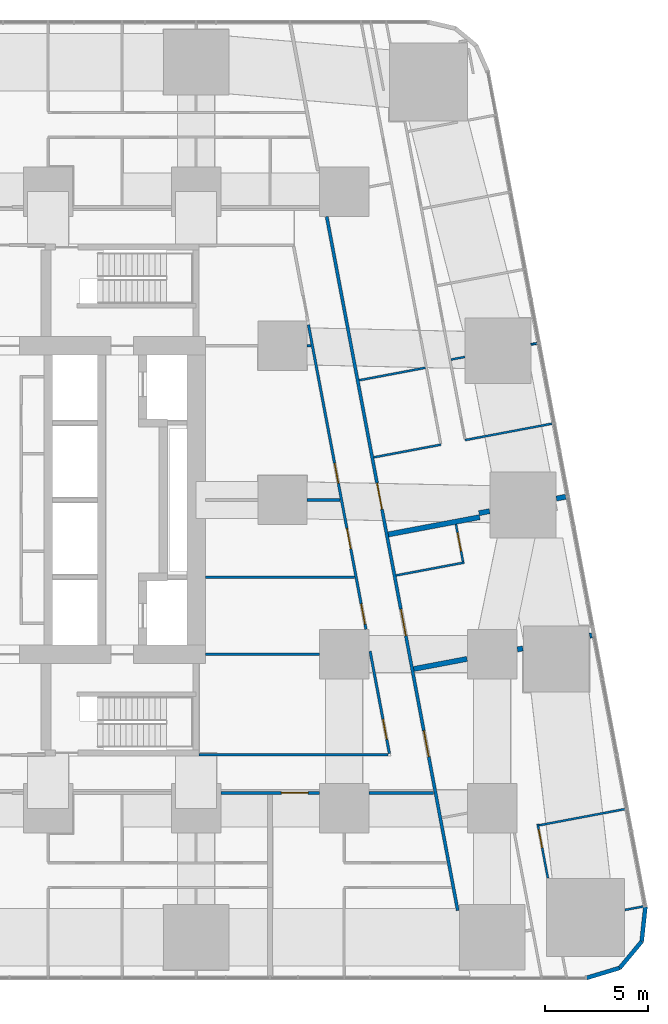
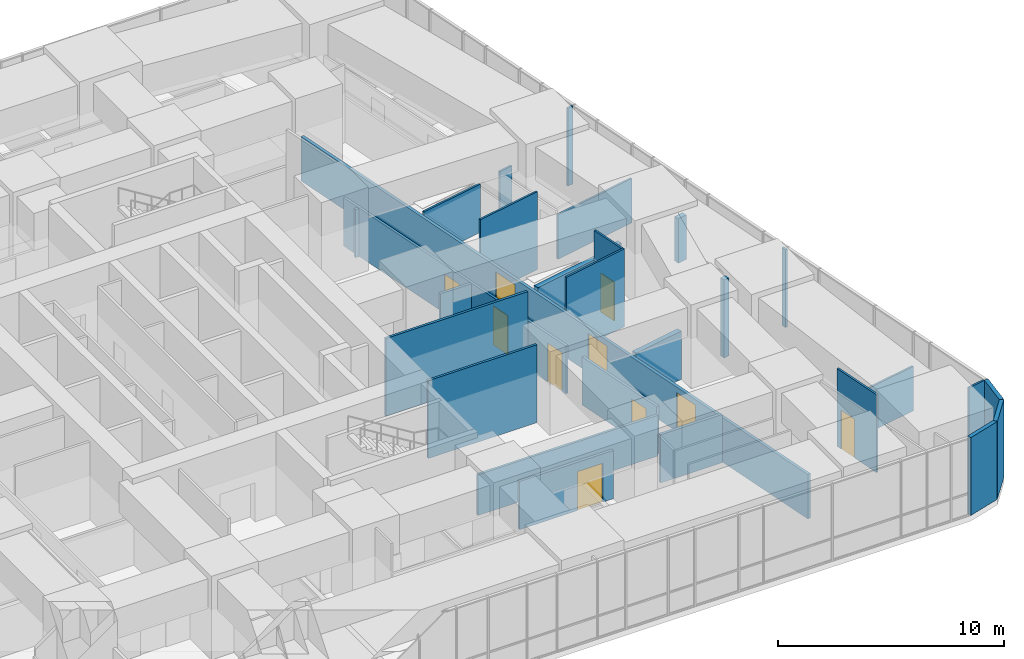
# One storey, part 17 of 23: 29 walls, 10 doors, 10 openings.
"""IFC4 building model written with IfcOpenShell, lengths in metres."""

from ifc_helpers import new_model, si_unit, direction, frame, frame_2d, origin, place, context, subcontext, project, spatial, rectangle, extrude, material, layer, layer_set, type_object, element, fill, save


model = new_model("IFC4")

# Units and contexts
model_context = context("Model", 3, precision=1e-05, world=origin(), true_north=direction((0.0, 1.0)))
body_context = subcontext(model_context, "Body", "Model", "MODEL_VIEW")
ifc_project = project(units=[si_unit("LENGTHUNIT", "METRE"), si_unit("AREAUNIT", "SQUARE_METRE"), si_unit("VOLUMEUNIT", "CUBIC_METRE"), si_unit("PLANEANGLEUNIT", "RADIAN"), si_unit("MASSUNIT", "GRAM", prefix="KILO")], contexts=[model_context])

# Site, building, storey
site_placement = place(None, origin())
site = spatial("IfcSite", under=ifc_project, at=site_placement, CompositionType="ELEMENT")
building_placement = place(site_placement, origin())
building = spatial("IfcBuilding", under=site, at=building_placement, Name="Sheger Commons Tower", CompositionType="ELEMENT")
storey_placement = place(building_placement, frame((0.0, 0.0, 5.60009765625)))
storey = spatial("IfcBuildingStorey", under=building, at=storey_placement, Name="L01", CompositionType="ELEMENT", Elevation=5.60009765625)

# Wall
ifc_material_1 = material(Name="Hollow concrete block masonry, skimmed both sides", Category="masonry")
ifc_layer_1 = layer(ifc_material_1, 0.14990234375)
ifc_layer_set_1 = layer_set([ifc_layer_1], Name="CORRIDOR WALL 150")
wall_type_1 = type_object("IfcWallType", Name="CORRIDOR WALL 150", PredefinedType="SOLIDWALL", material=ifc_layer_set_1)
wall_1_placement = place(storey_placement, frame((40.35498046875, 8.25, 0.0), z_axis=(0.0, 0.0, 1.0), x_axis=(-1.0, 0.0, 0.0)))
element("IfcWall", 1, at=wall_1_placement, inside=storey, type_object=wall_type_1, Name="Corridor wall L01", PredefinedType="SOLIDWALL", context=body_context, shape_type="SweptSolid", body=[
    extrude(rectangle(XDim=3.154052734375, YDim=0.14990234375, at=frame_2d((1.5771484375, 0.0))), origin(), (0.0, 0.0, 1.0), 2.599853515625),
])

# Wall, opening, door
wall_2_placement = place(storey_placement, frame((34.799072265625, 8.25, 0.0), z_axis=(0.0, 0.0, 1.0), x_axis=(-1.0, 0.0, 0.0)))
wall_2 = element("IfcWall", 2, at=wall_2_placement, inside=storey, type_object=wall_type_1, Name="Corridor wall L01", PredefinedType="SOLIDWALL", context=body_context, shape_type="SweptSolid", body=[
    extrude(rectangle(XDim=4.798095703125, YDim=0.14990234375, at=frame_2d((2.39892578125, 0.0))), origin(), (0.0, 0.0, 1.0), 2.599853515625),
])
opening_1_placement = place(wall_2_placement, frame((0.549072265625, 0.0, 0.0)))
opening_1 = element("IfcOpeningElement", 3, at=opening_1_placement, cuts=wall_2, Name="Opening D9", PredefinedType="OPENING", context=body_context, shape_type="SweptSolid", body=[
    extrude(rectangle(XDim=1.300048828125, YDim=2.10009765625, at=frame_2d((0.64990234375, 1.050048828125))), frame((0.0, 0.0849609375, 0.0), z_axis=(0.0, -1.0, 0.0), x_axis=(1.0, 0.0, 0.0)), (0.0, 0.0, 1.0), 0.169921875),
])
ifc_material_2 = material(Name="Steel door set, fire rated", Category="steel")
door_type_1 = type_object("IfcDoorType", Name="CLINIC SUITE DOOR 1300x2100", OperationType="DOUBLE_DOOR_SINGLE_SWING", PredefinedType="DOOR", material=ifc_material_2)
door_1_placement = place(opening_1_placement, origin())
door_1 = element("IfcDoor", 4, at=door_1_placement, inside=storey, type_object=door_type_1, Name="Suite door", OperationType="DOUBLE_DOOR_SINGLE_SWING", OverallHeight=2.10009765625, OverallWidth=1.300048828125, PredefinedType="DOOR", context=body_context, shape_type="SweptSolid", body=[
    extrude(rectangle(XDim=1.300048828125, YDim=2.10009765625, at=frame_2d((0.64990234375, 1.050048828125))), frame((0.0, 0.02490234375, 0.0), z_axis=(0.0, -1.0, 0.0), x_axis=(1.0, 0.0, 0.0)), (0.0, 0.0, 1.0), 0.050048828125),
])
fill(opening_1, door_1)

# Wall, openings, doors
wall_3_placement = place(storey_placement, frame((35.15087890625, 36.284912109375, 0.0), z_axis=(0.0, 0.0, 1.0), x_axis=(0.18558085056, -0.982628998099, 0.0)))
wall_3 = element("IfcWall", 5, at=wall_3_placement, inside=storey, type_object=wall_type_1, Name="Corridor wall L01", PredefinedType="SOLIDWALL", context=body_context, shape_type="SweptSolid", body=[
    extrude(rectangle(XDim=34.3515625, YDim=0.14990234375, at=frame_2d((17.17578125, 0.0))), origin(), (0.0, 0.0, 1.0), 2.39990234375),
])
opening_2_placement = place(wall_3_placement, frame((13.18896484375, 0.0, 0.0)))
opening_2 = element("IfcOpeningElement", 6, at=opening_2_placement, cuts=wall_3, Name="Opening D9", PredefinedType="OPENING", context=body_context, shape_type="SweptSolid", body=[
    extrude(rectangle(XDim=1.300048828125, YDim=2.10009765625, at=frame_2d((0.64990234375, 1.050048828125))), frame((0.0, 0.0849609375, 0.0), z_axis=(0.0, -1.0, 0.0), x_axis=(1.0, 0.0, 0.0)), (0.0, 0.0, 1.0), 0.169921875),
])
opening_3_placement = place(wall_3_placement, frame((19.443115234375, 0.0, 0.0)))
opening_3 = element("IfcOpeningElement", 7, at=opening_3_placement, cuts=wall_3, Name="Opening D9", PredefinedType="OPENING", context=body_context, shape_type="SweptSolid", body=[
    extrude(rectangle(XDim=1.300048828125, YDim=2.10009765625, at=frame_2d((0.64990234375, 1.050048828125))), frame((0.0, 0.0849609375, 0.0), z_axis=(0.0, -1.0, 0.0), x_axis=(1.0, 0.0, 0.0)), (0.0, 0.0, 1.0), 0.169921875),
])
opening_4_placement = place(wall_3_placement, frame((25.444091796875, 0.0, 0.0)))
opening_4 = element("IfcOpeningElement", 8, at=opening_4_placement, cuts=wall_3, Name="Opening D9", PredefinedType="OPENING", context=body_context, shape_type="SweptSolid", body=[
    extrude(rectangle(XDim=1.300048828125, YDim=2.10009765625, at=frame_2d((0.64990234375, 1.050048828125))), frame((0.0, 0.0849609375, 0.0), z_axis=(0.0, -1.0, 0.0), x_axis=(1.0, 0.0, 0.0)), (0.0, 0.0, 1.0), 0.169921875),
])
door_2_placement = place(opening_2_placement, origin())
door_2 = element("IfcDoor", 9, at=door_2_placement, inside=storey, type_object=door_type_1, Name="Suite door", OperationType="DOUBLE_DOOR_SINGLE_SWING", OverallHeight=2.10009765625, OverallWidth=1.300048828125, PredefinedType="DOOR", context=body_context, shape_type="SweptSolid", body=[
    extrude(rectangle(XDim=1.300048828125, YDim=2.10009765625, at=frame_2d((0.64990234375, 1.050048828125))), frame((0.0, 0.02490234375, 0.0), z_axis=(0.0, -1.0, 0.0), x_axis=(1.0, 0.0, 0.0)), (0.0, 0.0, 1.0), 0.050048828125),
])
fill(opening_2, door_2)
door_3_placement = place(opening_3_placement, origin())
door_3 = element("IfcDoor", 10, at=door_3_placement, inside=storey, type_object=door_type_1, Name="Suite door", OperationType="DOUBLE_DOOR_SINGLE_SWING", OverallHeight=2.10009765625, OverallWidth=1.300048828125, PredefinedType="DOOR", context=body_context, shape_type="SweptSolid", body=[
    extrude(rectangle(XDim=1.300048828125, YDim=2.10009765625, at=frame_2d((0.64990234375, 1.050048828125))), frame((0.0, 0.02490234375, 0.0), z_axis=(0.0, -1.0, 0.0), x_axis=(1.0, 0.0, 0.0)), (0.0, 0.0, 1.0), 0.050048828125),
])
fill(opening_3, door_3)
door_4_placement = place(opening_4_placement, origin())
door_4 = element("IfcDoor", 11, at=door_4_placement, inside=storey, type_object=door_type_1, Name="Suite door", OperationType="DOUBLE_DOOR_SINGLE_SWING", OverallHeight=2.10009765625, OverallWidth=1.300048828125, PredefinedType="DOOR", context=body_context, shape_type="SweptSolid", body=[
    extrude(rectangle(XDim=1.300048828125, YDim=2.10009765625, at=frame_2d((0.64990234375, 1.050048828125))), frame((0.0, 0.02490234375, 0.0), z_axis=(0.0, -1.0, 0.0), x_axis=(1.0, 0.0, 0.0)), (0.0, 0.0, 1.0), 0.050048828125),
])
fill(opening_4, door_4)

# Walls
ifc_material_3 = material(Name="Dense concrete block masonry, plastered both sides (separating wall between flats)", Category="masonry")
ifc_layer_2 = layer(ifc_material_3, 0.25)
ifc_layer_set_2 = layer_set([ifc_layer_2], Name="DEMISING WALL 250")
wall_type_2 = type_object("IfcWallType", Name="DEMISING WALL 250", PredefinedType="SOLIDWALL", material=ifc_layer_set_2)
wall_4_placement = place(storey_placement, frame((46.781982421875, 22.656982421875, 0.0), z_axis=(0.0, 0.0, 1.0), x_axis=(-0.982683117999, -0.185294062504, 0.0)))
element("IfcWall", 12, at=wall_4_placement, inside=storey, type_object=wall_type_2, Name="Demising wall L01", PredefinedType="SOLIDWALL", context=body_context, shape_type="SweptSolid", body=[
    extrude(rectangle(XDim=0.468994140625, YDim=0.25, at=frame_2d((0.234375, 0.0))), origin(), (0.0, 0.0, 1.0), 2.39990234375),
])
wall_5_placement = place(storey_placement, frame((43.072998046875, 21.9560546875, 0.0), z_axis=(0.0, 0.0, 1.0), x_axis=(-0.982395465615, -0.18681313963, 0.0)))
element("IfcWall", 13, at=wall_5_placement, inside=storey, type_object=wall_type_2, Name="Demising wall L01", PredefinedType="SOLIDWALL", context=body_context, shape_type="SweptSolid", body=[
    extrude(rectangle(XDim=0.525390625, YDim=0.25, at=frame_2d((0.2626953125, 0.0))), origin(), (0.0, 0.0, 1.0), 2.599853515625),
])
wall_6_placement = place(storey_placement, frame((42.593017578125, 21.6650390625, 0.0), z_axis=(0.0, 0.0, 1.0), x_axis=(-0.982612837616, -0.185666398014, 0.0)))
element("IfcWall", 14, at=wall_6_placement, inside=storey, type_object=wall_type_2, Name="Demising wall L01", PredefinedType="SOLIDWALL", context=body_context, shape_type="SweptSolid", body=[
    extrude(rectangle(XDim=4.524658203125, YDim=0.25, at=frame_2d((2.26220703125, 0.0))), origin(), (0.0, 0.0, 1.0), 2.599853515625),
])
wall_7_placement = place(storey_placement, frame((48.054931640625, 15.9169921875, 0.0), z_axis=(0.0, 0.0, 1.0), x_axis=(-0.98280243359, -0.184660164975, 0.0)))
element("IfcWall", 15, at=wall_7_placement, inside=storey, type_object=wall_type_2, Name="Demising wall L01", PredefinedType="SOLIDWALL", context=body_context, shape_type="SweptSolid", body=[
    extrude(rectangle(XDim=0.118896484375, YDim=0.25, at=frame_2d((0.0595703125, 0.0))), origin(), (0.0, 0.0, 1.0), 4.199951171875),
])
wall_8_placement = place(storey_placement, frame((44.68994140625, 15.281005859375, 0.0), z_axis=(0.0, 0.0, 1.0), x_axis=(-0.982739122219, -0.184996804458, 0.0)))
element("IfcWall", 16, at=wall_8_placement, inside=storey, type_object=wall_type_2, Name="Demising wall L01", PredefinedType="SOLIDWALL", context=body_context, shape_type="SweptSolid", body=[
    extrude(rectangle(XDim=0.2705078125, YDim=0.25, at=frame_2d((0.13525390625, 0.0))), origin(), (0.0, 0.0, 1.0), 4.199951171875),
])
wall_9_placement = place(storey_placement, frame((41.97607421875, 14.76904296875, 0.0), z_axis=(0.0, 0.0, 1.0), x_axis=(-0.982610412957, -0.185679229715, 0.0)))
element("IfcWall", 17, at=wall_9_placement, inside=storey, type_object=wall_type_2, Name="Demising wall L01", PredefinedType="SOLIDWALL", context=body_context, shape_type="SweptSolid", body=[
    extrude(rectangle(XDim=2.638916015625, YDim=0.25, at=frame_2d((1.3193359375, 0.0))), origin(), (0.0, 0.0, 1.0), 2.599853515625),
])
ifc_material_4 = material(Name="Rendered concrete block masonry, dark grey", Category="masonry")
ifc_layer_3 = layer(ifc_material_4, 0.199951171875)
ifc_layer_set_3 = layer_set([ifc_layer_3], Name="FACADE WALL 200")
wall_type_3 = type_object("IfcWallType", Name="FACADE WALL 200", PredefinedType="SOLIDWALL", material=ifc_layer_set_3)
wall_10_placement = place(storey_placement, frame((47.791015625, -0.75, 0.0), z_axis=(0.0, 0.0, 1.0), x_axis=(0.957455232626, 0.288581838509, 0.0)))
element("IfcWall", 18, at=wall_10_placement, inside=storey, type_object=wall_type_3, Name="Facade wall L01", PredefinedType="SOLIDWALL", context=body_context, shape_type="SweptSolid", body=[
    extrude(rectangle(XDim=1.687744140625, YDim=0.199951171875, at=frame_2d((0.84375, 0.0))), origin(), (0.0, 0.0, 1.0), 4.199951171875),
])
wall_11_placement = place(storey_placement, frame((49.406982421875, -0.262939453125, 0.0), z_axis=(0.0, 0.0, 1.0), x_axis=(0.638042593423, 0.770001070764, 0.0)))
element("IfcWall", 19, at=wall_11_placement, inside=storey, type_object=wall_type_3, Name="Facade wall L01", PredefinedType="SOLIDWALL", context=body_context, shape_type="SweptSolid", body=[
    extrude(rectangle(XDim=1.672607421875, YDim=0.199951171875, at=frame_2d((0.83642578125, 0.0))), origin(), (0.0, 0.0, 1.0), 4.199951171875),
])
wall_12_placement = place(storey_placement, frame((50.47412109375, 1.02490234375, 0.0), z_axis=(0.0, 0.0, 1.0), x_axis=(0.106047815515, 0.994361031429, 0.0)))
element("IfcWall", 20, at=wall_12_placement, inside=storey, type_object=wall_type_3, Name="Facade wall L01", PredefinedType="SOLIDWALL", context=body_context, shape_type="SweptSolid", body=[
    extrude(rectangle(XDim=1.6875, YDim=0.199951171875, at=frame_2d((0.84375, 0.0))), origin(), (0.0, 0.0, 1.0), 4.199951171875),
])
ifc_material_5 = material(Name="Gypsum board on steel studs", Category="steel")
ifc_layer_4 = layer(ifc_material_5, 0.10009765625)
ifc_layer_set_4 = layer_set([ifc_layer_4], Name="PARTITION 100")
wall_type_4 = type_object("IfcWallType", Name="PARTITION 100", PredefinedType="PARTITIONING", material=ifc_layer_set_4)
wall_13_placement = place(storey_placement, frame((45.3720703125, 30.12109375, 0.0), z_axis=(0.0, 0.0, 1.0), x_axis=(-0.982804690287, -0.184648153933, 0.0)))
element("IfcWall", 21, at=wall_13_placement, inside=storey, type_object=wall_type_4, Name="Partition L01", PredefinedType="PARTITIONING", context=body_context, shape_type="SweptSolid", body=[
    extrude(rectangle(XDim=0.286865234375, YDim=0.10009765625, at=frame_2d((0.1435546875, 0.0))), origin(), (0.0, 0.0, 1.0), 4.199951171875),
])
wall_14_placement = place(storey_placement, frame((41.8701171875, 29.458984375, 0.0), z_axis=(0.0, 0.0, 1.0), x_axis=(-0.982722777639, -0.185083608972, 0.0)))
element("IfcWall", 22, at=wall_14_placement, inside=storey, type_object=wall_type_4, Name="Partition L01", PredefinedType="PARTITIONING", context=body_context, shape_type="SweptSolid", body=[
    extrude(rectangle(XDim=0.68603515625, YDim=0.10009765625, at=frame_2d((0.343017578125, 0.0))), origin(), (0.0, 0.0, 1.0), 2.599853515625),
])
wall_15_placement = place(storey_placement, frame((46.110107421875, 26.212890625, 0.0), z_axis=(0.0, 0.0, 1.0), x_axis=(-0.982633535512, -0.185556823879, 0.0)))
element("IfcWall", 23, at=wall_15_placement, inside=storey, type_object=wall_type_4, Name="Partition L01", PredefinedType="PARTITIONING", context=body_context, shape_type="SweptSolid", body=[
    extrude(rectangle(XDim=4.2998046875, YDim=0.10009765625, at=frame_2d((2.14990234375, 0.0))), origin(), (0.0, 0.0, 1.0), 2.39990234375),
])
wall_16_placement = place(storey_placement, frame((39.947998046875, 28.931884765625, 0.0), z_axis=(0.0, 0.0, 1.0), x_axis=(-0.982610347627, -0.185679575441, 0.0)))
element("IfcWall", 24, at=wall_16_placement, inside=storey, type_object=wall_type_4, Name="Partition L01", PredefinedType="PARTITIONING", context=body_context, shape_type="SweptSolid", body=[
    extrude(rectangle(XDim=3.27392578125, YDim=0.10009765625, at=frame_2d((1.636962890625, 0.0))), origin(), (0.0, 0.0, 1.0), 2.599853515625),
])
wall_17_placement = place(storey_placement, frame((40.7060546875, 25.19189453125, 0.0), z_axis=(0.0, 0.0, 1.0), x_axis=(-0.982633623707, -0.185556356831, 0.0)))
element("IfcWall", 25, at=wall_17_placement, inside=storey, type_object=wall_type_4, Name="Partition L01", PredefinedType="PARTITIONING", context=body_context, shape_type="SweptSolid", body=[
    extrude(rectangle(XDim=3.324951171875, YDim=0.10009765625, at=frame_2d((1.66259765625, 0.0))), origin(), (0.0, 0.0, 1.0), 4.199951171875),
])

# Wall, opening, door
wall_18_placement = place(storey_placement, frame((41.43701171875, 21.319091796875, 0.0), z_axis=(0.0, 0.0, 1.0), x_axis=(0.186029078128, -0.982544239254, 0.0)))
wall_18 = element("IfcWall", 26, at=wall_18_placement, inside=storey, type_object=wall_type_4, Name="Partition L01", PredefinedType="PARTITIONING", context=body_context, shape_type="SweptSolid", body=[
    extrude(rectangle(XDim=1.8544921875, YDim=0.10009765625, at=frame_2d((0.92724609375, 0.0))), origin(), (0.0, 0.0, 1.0), 4.199951171875),
])
opening_5_placement = place(wall_18_placement, frame((0.424072265625, 0.0, 0.0)))
opening_5 = element("IfcOpeningElement", 27, at=opening_5_placement, cuts=wall_18, Name="Opening D2", PredefinedType="OPENING", context=body_context, shape_type="SweptSolid", body=[
    extrude(rectangle(XDim=0.89990234375, YDim=2.10009765625, at=frame_2d((0.449951171875, 1.050048828125))), frame((0.0, 0.06005859375, 0.0), z_axis=(0.0, -1.0, 0.0), x_axis=(1.0, 0.0, 0.0)), (0.0, 0.0, 1.0), 0.1201171875),
])
ifc_material_6 = material(Name="Timber door set", Category="wood")
door_type_2 = type_object("IfcDoorType", Name="INTERNAL DOOR 900x2100", OperationType="NOTDEFINED", PredefinedType="DOOR", material=ifc_material_6)
door_5_placement = place(opening_5_placement, origin())
door_5 = element("IfcDoor", 28, at=door_5_placement, inside=storey, type_object=door_type_2, Name="Treatment room door", OperationType="SINGLE_SWING_RIGHT", OverallHeight=2.10009765625, OverallWidth=0.89990234375, PredefinedType="DOOR", context=body_context, shape_type="SweptSolid", body=[
    extrude(rectangle(XDim=0.89990234375, YDim=2.10009765625, at=frame_2d((0.449951171875, 1.050048828125))), frame((0.0, 0.02490234375, 0.0), z_axis=(0.0, -1.0, 0.0), x_axis=(1.0, 0.0, 0.0)), (0.0, 0.0, 1.0), 0.050048828125),
])
fill(opening_5, door_5)

# Wall
wall_19_placement = place(storey_placement, frame((41.840087890625, 19.45703125, 0.0), z_axis=(0.0, 0.0, 1.0), x_axis=(-0.98264623159, -0.185489577987, 0.0)))
element("IfcWall", 29, at=wall_19_placement, inside=storey, type_object=wall_type_4, Name="Partition L01", PredefinedType="PARTITIONING", context=body_context, shape_type="SweptSolid", body=[
    extrude(rectangle(XDim=3.374755859375, YDim=0.10009765625, at=frame_2d((1.6875, 0.0))), origin(), (0.0, 0.0, 1.0), 4.199951171875),
])

# Wall, opening, door
wall_20_placement = place(storey_placement, frame((45.4130859375, 6.737060546875, 0.0), z_axis=(0.0, 0.0, 1.0), x_axis=(0.185263269673, -0.982688923775, 0.0)))
wall_20 = element("IfcWall", 30, at=wall_20_placement, inside=storey, type_object=wall_type_4, Name="Partition L01", PredefinedType="PARTITIONING", context=body_context, shape_type="SweptSolid", body=[
    extrude(rectangle(XDim=2.676513671875, YDim=0.10009765625, at=frame_2d((1.33837890625, 0.0))), origin(), (0.0, 0.0, 1.0), 4.199951171875),
])
opening_6_placement = place(wall_20_placement, frame((0.27392578125, 0.0, 0.0)))
opening_6 = element("IfcOpeningElement", 31, at=opening_6_placement, cuts=wall_20, Name="Opening D2", PredefinedType="OPENING", context=body_context, shape_type="SweptSolid", body=[
    extrude(rectangle(XDim=0.89990234375, YDim=2.10009765625, at=frame_2d((0.449951171875, 1.050048828125))), frame((0.0, 0.06005859375, 0.0), z_axis=(0.0, -1.0, 0.0), x_axis=(1.0, 0.0, 0.0)), (0.0, 0.0, 1.0), 0.1201171875),
])
door_6_placement = place(opening_6_placement, origin())
door_6 = element("IfcDoor", 32, at=door_6_placement, inside=storey, type_object=door_type_2, Name="Consulting room door", OperationType="SINGLE_SWING_LEFT", OverallHeight=2.10009765625, OverallWidth=0.89990234375, PredefinedType="DOOR", context=body_context, shape_type="SweptSolid", body=[
    extrude(rectangle(XDim=0.89990234375, YDim=2.10009765625, at=frame_2d((0.449951171875, 1.050048828125))), frame((0.0, 0.02490234375, 0.0), z_axis=(0.0, -1.0, 0.0), x_axis=(1.0, 0.0, 0.0)), (0.0, 0.0, 1.0), 0.050048828125),
])
fill(opening_6, door_6)

# Walls
wall_21_placement = place(storey_placement, frame((49.652099609375, 7.462890625, 0.0), z_axis=(0.0, 0.0, 1.0), x_axis=(-0.982631433279, -0.185567956101, 0.0)))
element("IfcWall", 33, at=wall_21_placement, inside=storey, type_object=wall_type_4, Name="Partition L01", PredefinedType="PARTITIONING", context=body_context, shape_type="SweptSolid", body=[
    extrude(rectangle(XDim=4.250732421875, YDim=0.10009765625, at=frame_2d((2.12548828125, 0.0))), origin(), (0.0, 0.0, 1.0), 2.39990234375),
])
wall_22_placement = place(storey_placement, frame((50.547119140625, 2.72607421875, 0.0), z_axis=(0.0, 0.0, 1.0), x_axis=(-0.982620821037, -0.18562414192, 0.0)))
element("IfcWall", 34, at=wall_22_placement, inside=storey, type_object=wall_type_4, Name="Partition L01", PredefinedType="PARTITIONING", context=body_context, shape_type="SweptSolid", body=[
    extrude(rectangle(XDim=0.90478515625, YDim=0.10009765625, at=frame_2d((0.452392578125, 0.0))), origin(), (0.0, 0.0, 1.0), 4.199951171875),
])
ifc_material_7 = material(Name="Gypsum board on steel studs, two layers each side, fire rated", Category="steel")
ifc_layer_5 = layer(ifc_material_7, 0.125)
ifc_layer_set_5 = layer_set([ifc_layer_5], Name="SERVICE WALL 125")
wall_type_5 = type_object("IfcWallType", Name="SERVICE WALL 125", PredefinedType="PARTITIONING", material=ifc_layer_set_5)
wall_23_placement = place(storey_placement, frame((28.949951171875, 10.10009765625, 0.0), z_axis=(0.0, 0.0, 1.0), x_axis=(1.0, 0.0, 0.0)))
element("IfcWall", 35, at=wall_23_placement, inside=storey, type_object=wall_type_5, Name="Service room wall L01", PredefinedType="PARTITIONING", context=body_context, shape_type="SweptSolid", body=[
    extrude(rectangle(XDim=9.18798828125, YDim=0.125, at=frame_2d((4.593994140625, 0.0))), origin(), (0.0, 0.0, 1.0), 2.199951171875),
])

# Wall, opening, door
wall_24_placement = place(storey_placement, frame((38.201904296875, 10.1630859375, 0.0), z_axis=(0.0, 0.0, 1.0), x_axis=(-0.185539561605, 0.982636795097, 0.0)))
wall_24 = element("IfcWall", 36, at=wall_24_placement, inside=storey, type_object=wall_type_5, Name="Service room wall L01", PredefinedType="PARTITIONING", context=body_context, shape_type="SweptSolid", body=[
    extrude(rectangle(XDim=5.06591796875, YDim=0.125, at=frame_2d((2.532958984375, 0.0))), origin(), (0.0, 0.0, 1.0), 2.599853515625),
])
opening_7_placement = place(wall_24_placement, frame((0.7080078125, 0.0, 0.0)))
opening_7 = element("IfcOpeningElement", 37, at=opening_7_placement, cuts=wall_24, Name="Opening D4", PredefinedType="OPENING", context=body_context, shape_type="SweptSolid", body=[
    extrude(rectangle(XDim=1.0, YDim=2.10009765625, at=frame_2d((0.5, 1.050048828125))), frame((0.0, 0.072509765625, 0.0), z_axis=(0.0, -1.0, 0.0), x_axis=(1.0, 0.0, 0.0)), (0.0, 0.0, 1.0), 0.14501953125),
])
ifc_material_8 = material(Name="Steel door set, fire rated", Category="steel")
door_type_3 = type_object("IfcDoorType", Name="SERVICE DOOR 1000x2100", OperationType="NOTDEFINED", PredefinedType="DOOR", material=ifc_material_8)
door_7_placement = place(opening_7_placement, origin())
door_7 = element("IfcDoor", 38, at=door_7_placement, inside=storey, type_object=door_type_3, Name="Staff room door", OperationType="SINGLE_SWING_LEFT", OverallHeight=2.10009765625, OverallWidth=1.0, PredefinedType="DOOR", context=body_context, shape_type="SweptSolid", body=[
    extrude(rectangle(XDim=1.0, YDim=2.10009765625, at=frame_2d((0.5, 1.050048828125))), frame((0.0, 0.02490234375, 0.0), z_axis=(0.0, -1.0, 0.0), x_axis=(1.0, 0.0, 0.0)), (0.0, 0.0, 1.0), 0.050048828125),
])
fill(opening_7, door_7)

# Wall, openings, doors
wall_25_placement = place(storey_placement, frame((37.05908203125, 16.212890625, 0.0), z_axis=(0.0, 0.0, 1.0), x_axis=(-0.185585225745, 0.982628171785, 0.0)))
wall_25 = element("IfcWall", 39, at=wall_25_placement, inside=storey, type_object=wall_type_5, Name="Service room wall L01", PredefinedType="PARTITIONING", context=body_context, shape_type="SweptSolid", body=[
    extrude(rectangle(XDim=15.07177734375, YDim=0.125, at=frame_2d((7.535888671875, 0.0))), origin(), (0.0, 0.0, 1.0), 2.599853515625),
])
opening_8_placement = place(wall_25_placement, frame((7.220947265625, 0.0, 0.0)))
opening_8 = element("IfcOpeningElement", 40, at=opening_8_placement, cuts=wall_25, Name="Opening D4", PredefinedType="OPENING", context=body_context, shape_type="SweptSolid", body=[
    extrude(rectangle(XDim=1.0, YDim=2.10009765625, at=frame_2d((0.5, 1.050048828125))), frame((0.0, 0.072509765625, 0.0), z_axis=(0.0, -1.0, 0.0), x_axis=(1.0, 0.0, 0.0)), (0.0, 0.0, 1.0), 0.14501953125),
])
opening_9_placement = place(wall_25_placement, frame((0.25, 0.0, 0.0)))
opening_9 = element("IfcOpeningElement", 41, at=opening_9_placement, cuts=wall_25, Name="Opening D4", PredefinedType="OPENING", context=body_context, shape_type="SweptSolid", body=[
    extrude(rectangle(XDim=1.0, YDim=2.10009765625, at=frame_2d((0.5, 1.050048828125))), frame((0.0, 0.072509765625, 0.0), z_axis=(0.0, -1.0, 0.0), x_axis=(1.0, 0.0, 0.0)), (0.0, 0.0, 1.0), 0.14501953125),
])
opening_10_placement = place(wall_25_placement, frame((3.989990234375, 0.0, 0.0)))
opening_10 = element("IfcOpeningElement", 42, at=opening_10_placement, cuts=wall_25, Name="Opening D4", PredefinedType="OPENING", context=body_context, shape_type="SweptSolid", body=[
    extrude(rectangle(XDim=1.0, YDim=2.10009765625, at=frame_2d((0.5, 1.050048828125))), frame((0.0, 0.072509765625, 0.0), z_axis=(0.0, -1.0, 0.0), x_axis=(1.0, 0.0, 0.0)), (0.0, 0.0, 1.0), 0.14501953125),
])
door_8_placement = place(opening_8_placement, origin())
door_8 = element("IfcDoor", 43, at=door_8_placement, inside=storey, type_object=door_type_3, Name="Pharmacy store door", OperationType="SINGLE_SWING_LEFT", OverallHeight=2.10009765625, OverallWidth=1.0, PredefinedType="DOOR", context=body_context, shape_type="SweptSolid", body=[
    extrude(rectangle(XDim=1.0, YDim=2.10009765625, at=frame_2d((0.5, 1.050048828125))), frame((0.0, 0.02490234375, 0.0), z_axis=(0.0, -1.0, 0.0), x_axis=(1.0, 0.0, 0.0)), (0.0, 0.0, 1.0), 0.050048828125),
])
fill(opening_8, door_8)
door_9_placement = place(opening_9_placement, origin())
door_9 = element("IfcDoor", 44, at=door_9_placement, inside=storey, type_object=door_type_3, Name="Medical records room door", OperationType="SINGLE_SWING_LEFT", OverallHeight=2.10009765625, OverallWidth=1.0, PredefinedType="DOOR", context=body_context, shape_type="SweptSolid", body=[
    extrude(rectangle(XDim=1.0, YDim=2.10009765625, at=frame_2d((0.5, 1.050048828125))), frame((0.0, 0.02490234375, 0.0), z_axis=(0.0, -1.0, 0.0), x_axis=(1.0, 0.0, 0.0)), (0.0, 0.0, 1.0), 0.050048828125),
])
fill(opening_9, door_9)
door_10_placement = place(opening_10_placement, origin())
door_10 = element("IfcDoor", 45, at=door_10_placement, inside=storey, type_object=door_type_3, Name="Sterile supplies store door", OperationType="SINGLE_SWING_RIGHT", OverallHeight=2.10009765625, OverallWidth=1.0, PredefinedType="DOOR", context=body_context, shape_type="SweptSolid", body=[
    extrude(rectangle(XDim=1.0, YDim=2.10009765625, at=frame_2d((0.5, 1.050048828125))), frame((0.0, 0.02490234375, 0.0), z_axis=(0.0, -1.0, 0.0), x_axis=(1.0, 0.0, 0.0)), (0.0, 0.0, 1.0), 0.050048828125),
])
fill(opening_10, door_10)

# Walls
wall_26_placement = place(storey_placement, frame((29.25, 15.0, 0.0), z_axis=(0.0, 0.0, 1.0), x_axis=(1.0, 0.0, 0.0)))
element("IfcWall", 46, at=wall_26_placement, inside=storey, type_object=wall_type_5, Name="Service room wall L01", PredefinedType="PARTITIONING", context=body_context, shape_type="SweptSolid", body=[
    extrude(rectangle(XDim=5.549072265625, YDim=0.125, at=frame_2d((2.7744140625, 0.0))), origin(), (0.0, 0.0, 1.0), 4.199951171875),
])
wall_27_placement = place(storey_placement, frame((34.200927734375, 22.5, 0.0), z_axis=(0.0, 0.0, 1.0), x_axis=(1.0, 0.0, 0.0)))
element("IfcWall", 47, at=wall_27_placement, inside=storey, type_object=wall_type_5, Name="Service room wall L01", PredefinedType="PARTITIONING", context=body_context, shape_type="SweptSolid", body=[
    extrude(rectangle(XDim=1.594970703125, YDim=0.125, at=frame_2d((0.79736328125, 0.0))), origin(), (0.0, 0.0, 1.0), 2.599853515625),
])
wall_28_placement = place(storey_placement, frame((34.200927734375, 30.0, 0.0), z_axis=(0.0, 0.0, 1.0), x_axis=(1.0, 0.0, 0.0)))
element("IfcWall", 48, at=wall_28_placement, inside=storey, type_object=wall_type_5, Name="Service room wall L01", PredefinedType="PARTITIONING", context=body_context, shape_type="SweptSolid", body=[
    extrude(rectangle(XDim=0.177978515625, YDim=0.125, at=frame_2d((0.0888671875, 0.0))), origin(), (0.0, 0.0, 1.0), 2.599853515625),
])
wall_29_placement = place(storey_placement, frame((29.25, 18.75, 0.0), z_axis=(0.0, 0.0, 1.0), x_axis=(1.0, 0.0, 0.0)))
element("IfcWall", 49, at=wall_29_placement, inside=storey, type_object=wall_type_5, Name="Service room wall L01", PredefinedType="PARTITIONING", context=body_context, shape_type="SweptSolid", body=[
    extrude(rectangle(XDim=7.2548828125, YDim=0.125, at=frame_2d((3.62744140625, 0.0))), origin(), (0.0, 0.0, 1.0), 4.199951171875),
])

save(model, "model.ifc")
